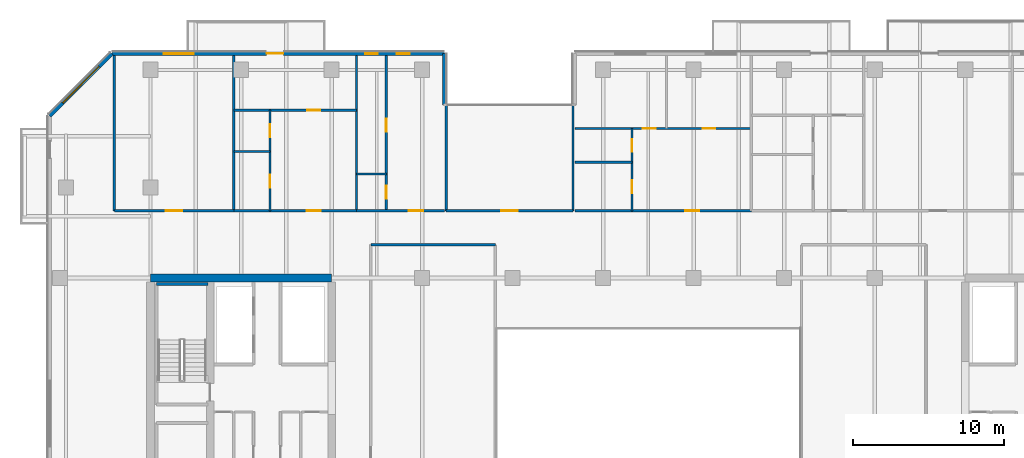
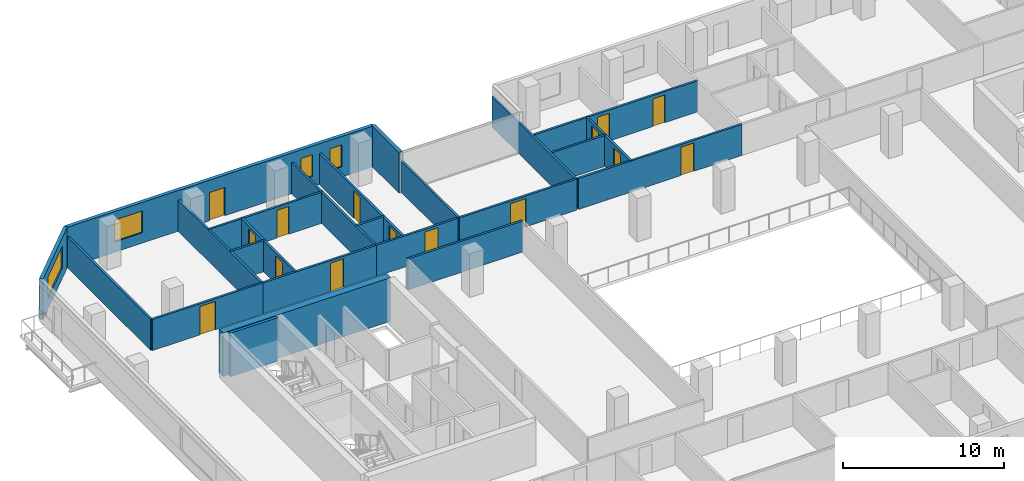
# One storey, part 13 of 23: 24 walls, 15 doors, 4 windows, 19 openings.
"""IFC4 building model written with IfcOpenShell, lengths in metres."""

import ifcopenshell
import ifcopenshell.guid

model = None  # the IFC model being written
_history = None  # IfcOwnerHistory: only IFC2X3 demands one
_inside = {}  # id of a spatial element -> (the spatial element, [elements in it])
_under = {}  # id of a project, library or spatial element -> (it, [spatial elements below it])
_declared = {}  # id of a project -> (the project, [libraries it declares])
_typed = {}  # id of a type object -> (the type object, [elements of that type])
_made_of = {}  # id of a material, layer set ... -> (it, [elements and type objects made of it])


def new_model(schema):
    """Start an empty IFC model of exactly this schema.

    Asked for "IFC4X3", IfcOpenShell would pick the latest addendum, in which some entities
    have other attributes; the version numbers below select the first issue.
    IFC2X3 requires an IfcOwnerHistory on every rooted entity: one is made here for all.
    """
    global model, _history
    if schema == "IFC4X3":
        model = ifcopenshell.file(schema_version=(4, 3, 0, 0))
    else:
        model = ifcopenshell.file(schema=schema)
    _inside.clear()
    _under.clear()
    _declared.clear()
    _typed.clear()
    _made_of.clear()
    _history = None
    if model.schema == "IFC2X3":
        org = make("IfcOrganization", Name="unknown")
        user = make(
            "IfcPersonAndOrganization",
            ThePerson=make("IfcPerson", FamilyName="unknown"),
            TheOrganization=org,
        )
        app = make(
            "IfcApplication",
            ApplicationDeveloper=org,
            Version="unknown",
            ApplicationFullName="unknown",
            ApplicationIdentifier="unknown",
        )
        _history = make(
            "IfcOwnerHistory",
            OwningUser=user,
            OwningApplication=app,
            ChangeAction="ADDED",
            CreationDate=0,
        )
    return model


def make(cls, **values):
    """One entity of the class cls with the attributes given. An attribute that is None is left unset."""
    return model.create_entity(
        cls, **{name: value for name, value in values.items() if value is not None}
    )


def rooted(cls, **values):
    """An entity with a GlobalId (a new one), such as an element, a storey or a relation."""
    return make(cls, GlobalId=ifcopenshell.guid.new(), OwnerHistory=_history, **values)


def si_unit(unit_type, name, prefix=None):
    """IfcSIUnit, for example si_unit("LENGTHUNIT", "METRE", prefix="MILLI")."""
    return make("IfcSIUnit", UnitType=unit_type, Prefix=prefix, Name=name)


def assignment(units):
    """IfcUnitAssignment: the units of a project."""
    return None if units is None else make("IfcUnitAssignment", Units=units)


def point(xyz):
    """IfcCartesianPoint."""
    return None if xyz is None else make("IfcCartesianPoint", Coordinates=xyz)


def direction(xyz):
    """IfcDirection."""
    return None if xyz is None else make("IfcDirection", DirectionRatios=xyz)


def frame(location, z_axis=None, x_axis=None):
    """IfcAxis2Placement3D, a coordinate frame: its origin and axes. An axis left out is left unset."""
    return make(
        "IfcAxis2Placement3D",
        Location=point(location),
        Axis=direction(z_axis),
        RefDirection=direction(x_axis),
    )


def frame_2d(location, x_axis=None):
    """IfcAxis2Placement2D, a coordinate frame in the plane: its origin and x axis."""
    return make(
        "IfcAxis2Placement2D", Location=point(location), RefDirection=direction(x_axis)
    )


def origin():
    """The frame at (0, 0, 0) with its axes left unset."""
    return frame((0.0, 0.0, 0.0))


def place(relative_to, where):
    """IfcLocalPlacement: puts the frame where relative to a parent placement (None: the world)."""
    return make(
        "IfcLocalPlacement", PlacementRelTo=relative_to, RelativePlacement=where
    )


def context(
    kind, dimensions, precision=None, world=None, true_north=None, identifier=None
):
    """IfcGeometricRepresentationContext, for example the 3D "Model" context."""
    return make(
        "IfcGeometricRepresentationContext",
        ContextIdentifier=identifier,
        ContextType=kind,
        CoordinateSpaceDimension=dimensions,
        Precision=precision,
        WorldCoordinateSystem=world,
        TrueNorth=true_north,
    )


def subcontext(parent, identifier, kind, view, scale=None):
    """IfcGeometricRepresentationSubContext, for example "Body" below "Model"."""
    return make(
        "IfcGeometricRepresentationSubContext",
        ContextIdentifier=identifier,
        ContextType=kind,
        ParentContext=parent,
        TargetScale=scale,
        TargetView=view,
    )


def project(units=None, contexts=None):
    """IfcProject with its units and contexts."""
    return rooted(
        "IfcProject",
        Name="project",
        RepresentationContexts=contexts,
        UnitsInContext=assignment(units),
    )


def spatial(cls, under=None, at=None, **own):
    """A site, building, storey or space (cls), placed at a placement, below another one or the project."""
    s = rooted(cls, ObjectPlacement=at, **own)
    if under is not None:
        _under.setdefault(under.id(), (under, []))[1].append(s)
    return s


def profile(cls, at=None, kind="AREA", **sizes):
    """A parametric profile (cls). Its sizes go by their IFC names, for example OverallWidth=200.0."""
    return make(cls, ProfileType=kind, Position=at, **sizes)


def rectangle(**sizes):
    """IfcRectangleProfileDef."""
    return profile("IfcRectangleProfileDef", **sizes)


def extrude(swept, where, along, depth):
    """IfcExtrudedAreaSolid: the profile swept, set in the frame where, extruded along a direction by depth."""
    return make(
        "IfcExtrudedAreaSolid",
        SweptArea=swept,
        Position=where,
        ExtrudedDirection=direction(along),
        Depth=depth,
    )


def shape(context_of_items, identifier, shape_type, items):
    """IfcShapeRepresentation: the items that make up one representation, for example the "Body"."""
    return make(
        "IfcShapeRepresentation",
        ContextOfItems=context_of_items,
        RepresentationIdentifier=identifier,
        RepresentationType=shape_type,
        Items=items,
    )


def material(Name=None, Category=None):
    """IfcMaterial."""
    return make("IfcMaterial", Name=Name, Category=Category)


def layer(
    of_material, thickness, ventilated=None, Name=None, Category=None, Priority=None
):
    """IfcMaterialLayer: one layer of a wall or slab, of a material (None: an air gap)."""
    return make(
        "IfcMaterialLayer",
        Material=of_material,
        LayerThickness=thickness,
        IsVentilated=ventilated,
        Name=Name,
        Category=Category,
        Priority=Priority,
    )


def layer_set(layers, Name=None):
    """IfcMaterialLayerSet."""
    return make("IfcMaterialLayerSet", MaterialLayers=layers, LayerSetName=Name)


def made_of(thing, what):
    """Note that an element or type object is made of a material, layer set ...; save() writes the relation."""
    if what is not None:
        _made_of.setdefault(what.id(), (what, []))[1].append(thing)
    return thing


def type_object(cls, material=None, **own):
    """A type object (cls), such as IfcWallType, which elements share."""
    return made_of(rooted(cls, **own), material)


def element(
    cls,
    number,
    at=None,
    inside=None,
    cuts=None,
    type_object=None,
    material=None,
    context=None,
    identifier="Body",
    shape_type=None,
    held_by="IfcProductDefinitionShape",
    body=None,
    shapes=None,
    **own,
):
    """One element of the class cls, such as IfcWall. Its Tag is "e" and its number.

    at: its placement. inside: the storey or other place that contains it. cuts: it is an
    opening in that element (IfcRelVoidsElement). A single representation is given by context,
    identifier, shape_type and body (its items); several are given by shapes. held_by: the class
    of the entity that holds the representations. save() writes the other relations.
    """
    e = rooted(cls, Tag="e%d" % number, ObjectPlacement=at, **own)
    if body is not None:
        shapes = [shape(context, identifier, shape_type, body)]
    if shapes is not None:
        e.Representation = make(held_by, Representations=shapes)
    if inside is not None:
        _inside.setdefault(inside.id(), (inside, []))[1].append(e)
    if cuts is not None:
        rooted(
            "IfcRelVoidsElement", RelatingBuildingElement=cuts, RelatedOpeningElement=e
        )
    if type_object is not None:
        _typed.setdefault(type_object.id(), (type_object, []))[1].append(e)
    return made_of(e, material)


def fill(opening, filler):
    """IfcRelFillsElement: the door or window that sits in an opening."""
    return rooted(
        "IfcRelFillsElement",
        RelatingOpeningElement=opening,
        RelatedBuildingElement=filler,
    )


def aggregate(whole, parts):
    """IfcRelAggregates: a whole, such as a stair, and the parts it consists of."""
    return rooted("IfcRelAggregates", RelatingObject=whole, RelatedObjects=parts)


def save(model, path):
    """Write the relations noted so far, then the file.

    IfcRelAggregates (storeys below a building ...), IfcRelContainedInSpatialStructure (elements
    in a storey), IfcRelDefinesByType, IfcRelAssociatesMaterial and IfcRelDeclares: one each for
    every whole, place, type object, material and project.
    """
    for whole, parts in _under.values():
        aggregate(whole, parts)
    for where, things in _inside.values():
        rooted(
            "IfcRelContainedInSpatialStructure",
            RelatedElements=things,
            RelatingStructure=where,
        )
    for kind, things in _typed.values():
        rooted("IfcRelDefinesByType", RelatedObjects=things, RelatingType=kind)
    for what, things in _made_of.values():
        rooted("IfcRelAssociatesMaterial", RelatedObjects=things, RelatingMaterial=what)
    for by, libraries in _declared.values():
        rooted("IfcRelDeclares", RelatingContext=by, RelatedDefinitions=libraries)
    model.write(path)


model = new_model("IFC4")

# Units and contexts
model_context = context("Model", 3, precision=1e-05, world=origin(), true_north=direction((0.0, 1.0)))
body_context = subcontext(model_context, "Body", "Model", "MODEL_VIEW")
ifc_project = project(units=[si_unit("LENGTHUNIT", "METRE"), si_unit("AREAUNIT", "SQUARE_METRE"), si_unit("VOLUMEUNIT", "CUBIC_METRE"), si_unit("PLANEANGLEUNIT", "RADIAN"), si_unit("MASSUNIT", "GRAM", prefix="KILO")], contexts=[model_context])

# Site, building, storey
site_placement = place(None, origin())
site = spatial("IfcSite", under=ifc_project, at=site_placement, CompositionType="ELEMENT")
building_placement = place(site_placement, origin())
building = spatial("IfcBuilding", under=site, at=building_placement, Name="Tanjung Sevakor Pilgrim Tower", CompositionType="ELEMENT")
storey_placement = place(building_placement, frame((0.0, 0.0, 85.469970703125)))
storey = spatial("IfcBuildingStorey", under=building, at=storey_placement, Name="L23", CompositionType="ELEMENT", Elevation=85.469970703125)

# Walls
ifc_material_1 = material(Name="Concrete C60/75", Category="concrete")
ifc_layer_1 = layer(ifc_material_1, 0.5)
ifc_layer_set_1 = layer_set([ifc_layer_1], Name="WALL-CW-500")
wall_type_1 = type_object("IfcWallType", Name="WALL-CW-500", PredefinedType="SHEAR", material=ifc_layer_set_1)
wall_1_placement = place(storey_placement, frame((36.0, 42.60009765625, 0.0), z_axis=(0.0, 0.0, 1.0), x_axis=(-1.0, 0.0, 0.0)))
element("IfcWall", 1, at=wall_1_placement, inside=storey, type_object=wall_type_1, Name="L23 W Core North Shear Wall", PredefinedType="SHEAR", context=body_context, shape_type="SweptSolid", body=[
    extrude(rectangle(XDim=12.0, YDim=0.5, at=frame_2d((6.0, 0.0))), origin(), (0.0, 0.0, 1.0), 3.300048828125),
])
ifc_material_2 = material(Name="Concrete C40/50", Category="concrete")
ifc_layer_2 = layer(ifc_material_2, 0.14990234375)
ifc_layer_set_2 = layer_set([ifc_layer_2], Name="WT-COMP-150")
wall_type_2 = type_object("IfcWallType", Name="WT-COMP-150", PredefinedType="SOLIDWALL", material=ifc_layer_set_2)
wall_2_placement = place(storey_placement, frame((38.60009765625, 44.800048828125, 0.0), z_axis=(0.0, 0.0, 1.0), x_axis=(1.0, 0.0, 0.0)))
element("IfcWall", 2, at=wall_2_placement, inside=storey, type_object=wall_type_2, Name="L23 Partition IW-L23-030", PredefinedType="SOLIDWALL", context=body_context, shape_type="SweptSolid", body=[
    extrude(rectangle(XDim=8.25, YDim=0.14990234375, at=frame_2d((4.125, 0.0))), origin(), (0.0, 0.0, 1.0), 2.35009765625),
])

# Wall, opening, door
wall_3_placement = place(storey_placement, frame((43.60009765625, 47.050048828125, 0.0), z_axis=(0.0, 0.0, 1.0), x_axis=(1.0, 0.0, 0.0)))
wall_3 = element("IfcWall", 3, at=wall_3_placement, inside=storey, type_object=wall_type_2, Name="L23 Partition IW-L23-048", PredefinedType="SOLIDWALL", context=body_context, shape_type="SweptSolid", body=[
    extrude(rectangle(XDim=8.39990234375, YDim=0.14990234375, at=frame_2d((4.199951171875, 0.0))), origin(), (0.0, 0.0, 1.0), 2.35009765625),
])
opening_1_placement = place(wall_3_placement, frame((3.64990234375, 0.0, 0.0)))
opening_1 = element("IfcOpeningElement", 4, at=opening_1_placement, cuts=wall_3, Name="Opening ID-RM2", PredefinedType="OPENING", context=body_context, shape_type="SweptSolid", body=[
    extrude(rectangle(XDim=1.10009765625, YDim=2.14990234375, at=frame_2d((0.550048828125, 1.074951171875))), frame((0.0, 0.0849609375, 0.0), z_axis=(0.0, -1.0, 0.0), x_axis=(1.0, 0.0, 0.0)), (0.0, 0.0, 1.0), 0.169921875),
])
ifc_material_3 = material(Name="Hardwood Timber", Category="wood")
door_type_1 = type_object("IfcDoorType", Name="DT-INT-1100", OperationType="NOTDEFINED", PredefinedType="DOOR", material=ifc_material_3)
door_1_placement = place(opening_1_placement, origin())
door_1 = element("IfcDoor", 5, at=door_1_placement, inside=storey, type_object=door_type_1, Name="L23 North Cleft Seminar Room Door", OperationType="SINGLE_SWING_RIGHT", OverallHeight=2.14990234375, OverallWidth=1.10009765625, PredefinedType="DOOR", context=body_context, shape_type="SweptSolid", body=[
    extrude(rectangle(XDim=1.10009765625, YDim=2.14990234375, at=frame_2d((0.550048828125, 1.074951171875))), frame((0.0, 0.02490234375, 0.0), z_axis=(0.0, -1.0, 0.0), x_axis=(1.0, 0.0, 0.0)), (0.0, 0.0, 1.0), 0.050048828125),
])
fill(opening_1, door_1)

# Walls
for number, where, z_axis, x_axis, name in (
    (6, (43.60009765625, 47.050048828125, 0.0), (0.0, 0.0, 1.0), (0.0, 1.0, 0.0), "L23 Partition IW-L23-049"),
    (7, (52.0, 47.050048828125, 0.0), (0.0, 0.0, 1.0), (0.0, 1.0, 0.0), "L23 Partition IW-L23-050"),
    (8, (21.60009765625, 47.050048828125, 0.0), (0.0, 0.0, 1.0), (0.0, 1.0, 0.0), "L23 Partition IW-L23-083"),
    (9, (29.5185546875, 47.050048828125, 0.0), (0.0, 0.0, 1.0), (0.0, 1.0, 0.0), "L23 Partition IW-L23-084"),
):
    element("IfcWall", number, at=place(storey_placement, frame(where, z_axis=z_axis, x_axis=x_axis)), inside=storey, type_object=wall_type_2, Name=name, PredefinedType="SOLIDWALL", context=body_context, shape_type="SweptSolid", body=[
        extrude(rectangle(XDim=10.300048828125, YDim=0.14990234375, at=frame_2d((5.14990234375, 0.0))), origin(), (0.0, 0.0, 1.0), 2.35009765625),
    ])

# Wall, opening, door
wall_4_placement = place(storey_placement, frame((21.60009765625, 47.050048828125, 0.0), z_axis=(0.0, 0.0, 1.0), x_axis=(1.0, 0.0, 0.0)))
wall_4 = element("IfcWall", 10, at=wall_4_placement, inside=storey, type_object=wall_type_2, Name="L23 Partition IW-L23-085", PredefinedType="SOLIDWALL", context=body_context, shape_type="SweptSolid", body=[
    extrude(rectangle(XDim=7.91845703125, YDim=0.14990234375, at=frame_2d((3.959228515625, 0.0))), origin(), (0.0, 0.0, 1.0), 2.35009765625),
])
opening_2_placement = place(wall_4_placement, frame((3.4091796875, 0.0, 0.0)))
opening_2 = element("IfcOpeningElement", 11, at=opening_2_placement, cuts=wall_4, Name="Opening ID-FD0", PredefinedType="OPENING", context=body_context, shape_type="SweptSolid", body=[
    extrude(rectangle(XDim=1.10009765625, YDim=2.14990234375, at=frame_2d((0.550048828125, 1.074951171875))), frame((0.0, 0.0849609375, 0.0), z_axis=(0.0, -1.0, 0.0), x_axis=(1.0, 0.0, 0.0)), (0.0, 0.0, 1.0), 0.169921875),
])
ifc_material_4 = material(Name="Fire-Rated Steel S355J2", Category="steel")
door_type_2 = type_object("IfcDoorType", Name="DT-FIRE-1100", OperationType="NOTDEFINED", PredefinedType="DOOR", material=ifc_material_4)
door_2_placement = place(opening_2_placement, origin())
door_2 = element("IfcDoor", 12, at=door_2_placement, inside=storey, type_object=door_type_2, Name="Communal Lounge Door", OperationType="SINGLE_SWING_RIGHT", OverallHeight=2.14990234375, OverallWidth=1.10009765625, PredefinedType="DOOR", context=body_context, shape_type="SweptSolid", body=[
    extrude(rectangle(XDim=1.10009765625, YDim=2.14990234375, at=frame_2d((0.550048828125, 1.074951171875))), frame((0.0, 0.02490234375, 0.0), z_axis=(0.0, -1.0, 0.0), x_axis=(1.0, 0.0, 0.0)), (0.0, 0.0, 1.0), 0.050048828125),
])
fill(opening_2, door_2)

# Wall
wall_5_placement = place(storey_placement, frame((37.6455078125, 47.050048828125, 0.0), z_axis=(0.0, 0.0, 1.0), x_axis=(0.0, 1.0, 0.0)))
element("IfcWall", 13, at=wall_5_placement, inside=storey, type_object=wall_type_2, Name="L23 Partition IW-L23-086", PredefinedType="SOLIDWALL", context=body_context, shape_type="SweptSolid", body=[
    extrude(rectangle(XDim=10.300048828125, YDim=0.14990234375, at=frame_2d((5.14990234375, 0.0))), origin(), (0.0, 0.0, 1.0), 2.35009765625),
])

# Wall, opening, door
wall_6_placement = place(storey_placement, frame((29.5185546875, 47.050048828125, 0.0), z_axis=(0.0, 0.0, 1.0), x_axis=(1.0, 0.0, 0.0)))
wall_6 = element("IfcWall", 14, at=wall_6_placement, inside=storey, type_object=wall_type_2, Name="L23 Partition IW-L23-090", PredefinedType="SOLIDWALL", context=body_context, shape_type="SweptSolid", body=[
    extrude(rectangle(XDim=8.126953125, YDim=0.14990234375, at=frame_2d((4.0634765625, 0.0))), origin(), (0.0, 0.0, 1.0), 2.35009765625),
])
opening_3_placement = place(wall_6_placement, frame((4.8291015625, 0.0, 0.0)))
opening_3 = element("IfcOpeningElement", 15, at=opening_3_placement, cuts=wall_6, Name="Opening ID-FD2", PredefinedType="OPENING", context=body_context, shape_type="SweptSolid", body=[
    extrude(rectangle(XDim=0.949951171875, YDim=2.14990234375, at=frame_2d((0.47509765625, 1.074951171875))), frame((0.0, 0.0849609375, 0.0), z_axis=(0.0, -1.0, 0.0), x_axis=(1.0, 0.0, 0.0)), (0.0, 0.0, 1.0), 0.169921875),
])
ifc_material_5 = material(Name="Fire-Rated Timber", Category="wood")
door_type_3 = type_object("IfcDoorType", Name="DT-FIRE-950", OperationType="NOTDEFINED", PredefinedType="DOOR", material=ifc_material_5)
door_3_placement = place(opening_3_placement, origin())
door_3 = element("IfcDoor", 16, at=door_3_placement, inside=storey, type_object=door_type_3, Name="Residence Entrance", OperationType="SINGLE_SWING_RIGHT", OverallHeight=2.14990234375, OverallWidth=0.949951171875, PredefinedType="DOOR", context=body_context, shape_type="SweptSolid", body=[
    extrude(rectangle(XDim=0.949951171875, YDim=2.14990234375, at=frame_2d((0.47509765625, 1.074951171875))), frame((0.0, 0.02490234375, 0.0), z_axis=(0.0, -1.0, 0.0), x_axis=(1.0, 0.0, 0.0)), (0.0, 0.0, 1.0), 0.050048828125),
])
fill(opening_3, door_3)

wall_7_placement = place(storey_placement, frame((37.6455078125, 47.050048828125, 0.0), z_axis=(0.0, 0.0, 1.0), x_axis=(1.0, 0.0, 0.0)))
wall_7 = element("IfcWall", 17, at=wall_7_placement, inside=storey, type_object=wall_type_2, Name="L23 Partition IW-L23-093", PredefinedType="SOLIDWALL", context=body_context, shape_type="SweptSolid", body=[
    extrude(rectangle(XDim=5.83447265625, YDim=0.14990234375, at=frame_2d((2.917236328125, 0.0))), origin(), (0.0, 0.0, 1.0), 2.35009765625),
])
opening_4_placement = place(wall_7_placement, frame((3.47412109375, 0.0, 0.0)))
opening_4 = element("IfcOpeningElement", 18, at=opening_4_placement, cuts=wall_7, Name="Opening ID-FD2", PredefinedType="OPENING", context=body_context, shape_type="SweptSolid", body=[
    extrude(rectangle(XDim=0.949951171875, YDim=2.14990234375, at=frame_2d((0.47509765625, 1.074951171875))), frame((0.0, 0.0849609375, 0.0), z_axis=(0.0, -1.0, 0.0), x_axis=(1.0, 0.0, 0.0)), (0.0, 0.0, 1.0), 0.169921875),
])
door_4_placement = place(opening_4_placement, origin())
door_4 = element("IfcDoor", 19, at=door_4_placement, inside=storey, type_object=door_type_3, Name="Hostel Quad Entrance", OperationType="SINGLE_SWING_LEFT", OverallHeight=2.14990234375, OverallWidth=0.949951171875, PredefinedType="DOOR", context=body_context, shape_type="SweptSolid", body=[
    extrude(rectangle(XDim=0.949951171875, YDim=2.14990234375, at=frame_2d((0.47509765625, 1.074951171875))), frame((0.0, 0.02490234375, 0.0), z_axis=(0.0, -1.0, 0.0), x_axis=(1.0, 0.0, 0.0)), (0.0, 0.0, 1.0), 0.050048828125),
])
fill(opening_4, door_4)

wall_8_placement = place(storey_placement, frame((52.1201171875, 47.050048828125, 0.0), z_axis=(0.0, 0.0, 1.0), x_axis=(1.0, 0.0, 0.0)))
wall_8 = element("IfcWall", 20, at=wall_8_placement, inside=storey, type_object=wall_type_2, Name="L23 Partition IW-L23-100", PredefinedType="SOLIDWALL", context=body_context, shape_type="SweptSolid", body=[
    extrude(rectangle(XDim=11.701171875, YDim=0.14990234375, at=frame_2d((5.8505859375, 0.0))), origin(), (0.0, 0.0, 1.0), 2.35009765625),
])
opening_5_placement = place(wall_8_placement, frame((7.315673828125, 0.0, 0.0)))
opening_5 = element("IfcOpeningElement", 21, at=opening_5_placement, cuts=wall_8, Name="Opening ID-FD2", PredefinedType="OPENING", context=body_context, shape_type="SweptSolid", body=[
    extrude(rectangle(XDim=0.949951171875, YDim=2.14990234375, at=frame_2d((0.47509765625, 1.074951171875))), frame((0.0, 0.0849609375, 0.0), z_axis=(0.0, -1.0, 0.0), x_axis=(1.0, 0.0, 0.0)), (0.0, 0.0, 1.0), 0.169921875),
])
door_5_placement = place(opening_5_placement, origin())
door_5 = element("IfcDoor", 22, at=door_5_placement, inside=storey, type_object=door_type_3, Name="Suite Entrance", OperationType="SINGLE_SWING_RIGHT", OverallHeight=2.14990234375, OverallWidth=0.949951171875, PredefinedType="DOOR", context=body_context, shape_type="SweptSolid", body=[
    extrude(rectangle(XDim=0.949951171875, YDim=2.14990234375, at=frame_2d((0.47509765625, 1.074951171875))), frame((0.0, 0.02490234375, 0.0), z_axis=(0.0, -1.0, 0.0), x_axis=(1.0, 0.0, 0.0)), (0.0, 0.0, 1.0), 0.050048828125),
])
fill(opening_5, door_5)

# Wall
ifc_material_6 = material(Name="Precast concrete C45/55", Category="concrete")
ifc_layer_3 = layer(ifc_material_6, 0.25)
ifc_layer_set_3 = layer_set([ifc_layer_3], Name="WT-EW-STN3")
wall_type_3 = type_object("IfcWallType", Name="WT-EW-STN3", PredefinedType="SOLIDWALL", material=ifc_layer_set_3)
wall_9_placement = place(storey_placement, frame((43.47509765625, 54.074951171875, 0.0), z_axis=(0.0, 0.0, 1.0), x_axis=(0.0, 1.0, 0.0)))
element("IfcWall", 23, at=wall_9_placement, inside=storey, type_object=wall_type_3, Name="L23 MAIN Exterior Wall 12", PredefinedType="SOLIDWALL", context=body_context, shape_type="SweptSolid", body=[
    extrude(rectangle(XDim=3.400146484375, YDim=0.25, at=frame_2d((1.7001953125, 0.0))), origin(), (0.0, 0.0, 1.0), 3.080078125),
])

# Wall, openings, door, windows
wall_10_placement = place(storey_placement, frame((43.47509765625, 57.47509765625, 0.0), z_axis=(0.0, 0.0, 1.0), x_axis=(-1.0, 0.0, 0.0)))
wall_10 = element("IfcWall", 24, at=wall_10_placement, inside=storey, type_object=wall_type_3, Name="L23 MAIN Exterior Wall 13", PredefinedType="SOLIDWALL", context=body_context, shape_type="SweptSolid", body=[
    extrude(rectangle(XDim=22.023193359375, YDim=0.25, at=frame_2d((11.01171875, 0.0))), origin(), (0.0, 0.0, 1.0), 3.080078125),
])
opening_6_placement = place(wall_10_placement, frame((10.675048828125, 0.0, 0.0)))
opening_6 = element("IfcOpeningElement", 25, at=opening_6_placement, cuts=wall_10, Name="Opening ED-BAL-1100", PredefinedType="OPENING", context=body_context, shape_type="SweptSolid", body=[
    extrude(rectangle(XDim=1.10009765625, YDim=2.14990234375, at=frame_2d((0.550048828125, 1.074951171875))), frame((0.0, 0.135009765625, 0.0), z_axis=(0.0, -1.0, 0.0), x_axis=(1.0, 0.0, 0.0)), (0.0, 0.0, 1.0), 0.27001953125),
])
opening_7_placement = place(wall_10_placement, frame((16.595703125, 0.0, 0.780029296875)))
opening_7 = element("IfcOpeningElement", 26, at=opening_7_placement, cuts=wall_10, Name="Opening WN-Z2-1660", PredefinedType="OPENING", context=body_context, shape_type="SweptSolid", body=[
    extrude(rectangle(XDim=2.0, YDim=1.659912109375, at=frame_2d((1.0, 0.830078125))), frame((0.0, 0.135009765625, 0.0), z_axis=(0.0, -1.0, 0.0), x_axis=(1.0, 0.0, 0.0)), (0.0, 0.0, 1.0), 0.27001953125),
])
opening_8_placement = place(wall_10_placement, frame((4.402587890625, 0.0, 0.780029296875)))
opening_8 = element("IfcOpeningElement", 27, at=opening_8_placement, cuts=wall_10, Name="Opening WN-SLM", PredefinedType="OPENING", context=body_context, shape_type="SweptSolid", body=[
    extrude(rectangle(XDim=0.85009765625, YDim=1.64990234375, at=frame_2d((0.425048828125, 0.824951171875))), frame((0.0, 0.135009765625, 0.0), z_axis=(0.0, -1.0, 0.0), x_axis=(1.0, 0.0, 0.0)), (0.0, 0.0, 1.0), 0.27001953125),
])
opening_9_placement = place(wall_10_placement, frame((2.305419921875, 0.0, 0.780029296875)))
opening_9 = element("IfcOpeningElement", 28, at=opening_9_placement, cuts=wall_10, Name="Opening WN-SLM", PredefinedType="OPENING", context=body_context, shape_type="SweptSolid", body=[
    extrude(rectangle(XDim=0.85009765625, YDim=1.64990234375, at=frame_2d((0.425048828125, 0.824951171875))), frame((0.0, 0.135009765625, 0.0), z_axis=(0.0, -1.0, 0.0), x_axis=(1.0, 0.0, 0.0)), (0.0, 0.0, 1.0), 0.27001953125),
])
ifc_material_7 = material(Name="Anodised Aluminium and Laminated Glass", Category="aluminium")
door_type_4 = type_object("IfcDoorType", Name="DTYP-ED-BAL-1100", OperationType="NOTDEFINED", PredefinedType="DOOR", material=ifc_material_7)
door_6_placement = place(opening_6_placement, frame((1.10009765625, 0.0, 0.0), z_axis=(0.0, 0.0, 1.0), x_axis=(-1.0, 0.0, 0.0)))
door_6 = element("IfcDoor", 29, at=door_6_placement, inside=storey, type_object=door_type_4, Name="L23 Balcony Door MAIN-N1", OperationType="SINGLE_SWING_RIGHT", OverallHeight=2.14990234375, OverallWidth=1.10009765625, PredefinedType="DOOR", context=body_context, shape_type="SweptSolid", body=[
    extrude(rectangle(XDim=1.10009765625, YDim=2.14990234375, at=frame_2d((0.550048828125, 1.074951171875))), frame((0.0, 0.02490234375, 0.0), z_axis=(0.0, -1.0, 0.0), x_axis=(1.0, 0.0, 0.0)), (0.0, 0.0, 1.0), 0.050048828125),
])
fill(opening_6, door_6)
ifc_material_8 = material(Name="Thermally Broken Aluminium and Low-E Glass", Category="aluminium")
window_type_1 = type_object("IfcWindowType", Name="WTYP-WN-SLM", PartitioningType="SINGLE_PANEL", PredefinedType="WINDOW", material=ifc_material_8)
window_1_placement = place(opening_8_placement, origin())
window_1 = element("IfcWindow", 30, at=window_1_placement, inside=storey, type_object=window_type_1, Name="L23 Facade Window 02", OverallHeight=1.64990234375, OverallWidth=0.85009765625, PartitioningType="SINGLE_PANEL", PredefinedType="WINDOW", context=body_context, shape_type="SweptSolid", body=[
    extrude(rectangle(XDim=0.85009765625, YDim=1.64990234375, at=frame_2d((0.425048828125, 0.824951171875))), frame((0.0, 0.030029296875, 0.0), z_axis=(0.0, -1.0, 0.0), x_axis=(1.0, 0.0, 0.0)), (0.0, 0.0, 1.0), 0.06005859375),
])
fill(opening_8, window_1)
window_2_placement = place(opening_9_placement, origin())
window_2 = element("IfcWindow", 31, at=window_2_placement, inside=storey, type_object=window_type_1, Name="L23 Facade Window 03", OverallHeight=1.64990234375, OverallWidth=0.85009765625, PartitioningType="SINGLE_PANEL", PredefinedType="WINDOW", context=body_context, shape_type="SweptSolid", body=[
    extrude(rectangle(XDim=0.85009765625, YDim=1.64990234375, at=frame_2d((0.425048828125, 0.824951171875))), frame((0.0, 0.030029296875, 0.0), z_axis=(0.0, -1.0, 0.0), x_axis=(1.0, 0.0, 0.0)), (0.0, 0.0, 1.0), 0.06005859375),
])
fill(opening_9, window_2)
ifc_material_9 = material(Name="Thermally Broken Aluminium and Low-E Glass", Category="aluminium")
window_type_2 = type_object("IfcWindowType", Name="WTYP-WN-Z2-1660", PartitioningType="DOUBLE_PANEL_VERTICAL", PredefinedType="WINDOW", material=ifc_material_9)
window_3_placement = place(opening_7_placement, origin())
window_3 = element("IfcWindow", 32, at=window_3_placement, inside=storey, type_object=window_type_2, Name="L23 Facade Window 01", OverallHeight=1.659912109375, OverallWidth=2.0, PartitioningType="SINGLE_PANEL", PredefinedType="WINDOW", context=body_context, shape_type="SweptSolid", body=[
    extrude(rectangle(XDim=2.0, YDim=1.659912109375, at=frame_2d((1.0, 0.830078125))), frame((0.0, 0.030029296875, 0.0), z_axis=(0.0, -1.0, 0.0), x_axis=(1.0, 0.0, 0.0)), (0.0, 0.0, 1.0), 0.06005859375),
])
fill(opening_7, window_3)

# Wall, opening, window
wall_11_placement = place(storey_placement, frame((21.451904296875, 57.47509765625, 0.0), z_axis=(0.0, 0.0, 1.0), x_axis=(-0.707106781187, -0.707106781187, 0.0)))
wall_11 = element("IfcWall", 33, at=wall_11_placement, inside=storey, type_object=wall_type_3, Name="L23 MAIN Sculpted Corner Wall 13", PredefinedType="SOLIDWALL", context=body_context, shape_type="SweptSolid", body=[
    extrude(rectangle(XDim=5.83642578125, YDim=0.25, at=frame_2d((2.918212890625, 0.0))), origin(), (0.0, 0.0, 1.0), 3.080078125),
])
opening_10_placement = place(wall_11_placement, frame((1.218017578125, 0.0, 0.780029296875)))
opening_10 = element("IfcOpeningElement", 34, at=opening_10_placement, cuts=wall_11, Name="Opening WN-CHM-1660", PredefinedType="OPENING", context=body_context, shape_type="SweptSolid", body=[
    extrude(rectangle(XDim=3.39990234375, YDim=1.659912109375, at=frame_2d((1.699951171875, 0.830078125))), frame((0.0, 0.135009765625, 0.0), z_axis=(0.0, -1.0, 0.0), x_axis=(1.0, 0.0, 0.0)), (0.0, 0.0, 1.0), 0.27001953125),
])
ifc_material_10 = material(Name="Thermally Broken Aluminium and Low-E Glass", Category="aluminium")
window_type_3 = type_object("IfcWindowType", Name="WTYP-WN-CHM-1660", PartitioningType="DOUBLE_PANEL_VERTICAL", PredefinedType="WINDOW", material=ifc_material_10)
window_4_placement = place(opening_10_placement, origin())
window_4 = element("IfcWindow", 35, at=window_4_placement, inside=storey, type_object=window_type_3, Name="L23 Facade Window 01", OverallHeight=1.659912109375, OverallWidth=3.39990234375, PartitioningType="SINGLE_PANEL", PredefinedType="WINDOW", context=body_context, shape_type="SweptSolid", body=[
    extrude(rectangle(XDim=3.39990234375, YDim=1.659912109375, at=frame_2d((1.699951171875, 0.830078125))), frame((0.0, 0.030029296875, 0.0), z_axis=(0.0, -1.0, 0.0), x_axis=(1.0, 0.0, 0.0)), (0.0, 0.0, 1.0), 0.06005859375),
])
fill(opening_10, window_4)

# Walls
ifc_material_11 = material(Name="Concrete C40/50", Category="concrete")
ifc_layer_4 = layer(ifc_material_11, 0.199951171875)
ifc_layer_set_4 = layer_set([ifc_layer_4], Name="WT-FIRE-200")
wall_type_4 = type_object("IfcWallType", Name="WT-FIRE-200", PredefinedType="SOLIDWALL", material=ifc_layer_set_4)
wall_12_placement = place(storey_placement, frame((27.800048828125, 42.199951171875, 0.0), z_axis=(0.0, 0.0, 1.0), x_axis=(-1.0, 0.0, 0.0)))
element("IfcWall", 36, at=wall_12_placement, inside=storey, type_object=wall_type_4, Name="L23 TS-W2 Shaft Wall 2", PredefinedType="SOLIDWALL", context=body_context, shape_type="SweptSolid", body=[
    extrude(rectangle(XDim=3.400146484375, YDim=0.199951171875, at=frame_2d((1.7001953125, 0.0))), origin(), (0.0, 0.0, 1.0), 3.300048828125),
])
ifc_material_12 = material(Name="Gypsum Board Partition", Category="gypsum board")
ifc_layer_5 = layer(ifc_material_12, 0.14990234375)
ifc_layer_set_5 = layer_set([ifc_layer_5], Name="WT-PART-150")
wall_type_5 = type_object("IfcWallType", Name="WT-PART-150", PredefinedType="PARTITIONING", material=ifc_layer_set_5)
wall_13_placement = place(storey_placement, frame((29.5185546875, 50.9853515625, 0.0), z_axis=(0.0, 0.0, 1.0), x_axis=(1.0, 0.0, 0.0)))
element("IfcWall", 37, at=wall_13_placement, inside=storey, type_object=wall_type_5, Name="L23 Partition IW-L23-087", PredefinedType="PARTITIONING", context=body_context, shape_type="SweptSolid", body=[
    extrude(rectangle(XDim=2.4013671875, YDim=0.14990234375, at=frame_2d((1.20068359375, 0.0))), origin(), (0.0, 0.0, 1.0), 2.35009765625),
])

# Wall, openings, doors
wall_14_placement = place(storey_placement, frame((31.919921875, 47.050048828125, 0.0), z_axis=(0.0, 0.0, 1.0), x_axis=(0.0, 1.0, 0.0)))
wall_14 = element("IfcWall", 38, at=wall_14_placement, inside=storey, type_object=wall_type_5, Name="L23 Partition IW-L23-088", PredefinedType="PARTITIONING", context=body_context, shape_type="SweptSolid", body=[
    extrude(rectangle(XDim=6.670166015625, YDim=0.14990234375, at=frame_2d((3.3349609375, 0.0))), origin(), (0.0, 0.0, 1.0), 2.35009765625),
])
opening_11_placement = place(wall_14_placement, frame((1.542724609375, 0.0, 0.0)))
opening_11 = element("IfcOpeningElement", 39, at=opening_11_placement, cuts=wall_14, Name="Opening ID-WC1", PredefinedType="OPENING", context=body_context, shape_type="SweptSolid", body=[
    extrude(rectangle(XDim=0.85009765625, YDim=2.10009765625, at=frame_2d((0.425048828125, 1.050048828125))), frame((0.0, 0.0849609375, 0.0), z_axis=(0.0, -1.0, 0.0), x_axis=(1.0, 0.0, 0.0)), (0.0, 0.0, 1.0), 0.169921875),
])
opening_12_placement = place(wall_14_placement, frame((4.877685546875, 0.0, 0.0)))
opening_12 = element("IfcOpeningElement", 40, at=opening_12_placement, cuts=wall_14, Name="Opening ID-WC1", PredefinedType="OPENING", context=body_context, shape_type="SweptSolid", body=[
    extrude(rectangle(XDim=0.85009765625, YDim=2.10009765625, at=frame_2d((0.425048828125, 1.050048828125))), frame((0.0, 0.0849609375, 0.0), z_axis=(0.0, -1.0, 0.0), x_axis=(1.0, 0.0, 0.0)), (0.0, 0.0, 1.0), 0.169921875),
])
ifc_material_13 = material(Name="Moisture-Resistant Timber", Category="wood")
door_type_5 = type_object("IfcDoorType", Name="DT-INT-850", OperationType="NOTDEFINED", PredefinedType="DOOR", material=ifc_material_13)
door_7_placement = place(opening_11_placement, origin())
door_7 = element("IfcDoor", 41, at=door_7_placement, inside=storey, type_object=door_type_5, Name="Residence Kitchenette Door", OperationType="SINGLE_SWING_LEFT", OverallHeight=2.10009765625, OverallWidth=0.85009765625, PredefinedType="DOOR", context=body_context, shape_type="SweptSolid", body=[
    extrude(rectangle(XDim=0.85009765625, YDim=2.10009765625, at=frame_2d((0.425048828125, 1.050048828125))), frame((0.0, 0.02490234375, 0.0), z_axis=(0.0, -1.0, 0.0), x_axis=(1.0, 0.0, 0.0)), (0.0, 0.0, 1.0), 0.050048828125),
])
fill(opening_11, door_7)
door_8_placement = place(opening_12_placement, origin())
door_8 = element("IfcDoor", 42, at=door_8_placement, inside=storey, type_object=door_type_5, Name="Residence Bathroom Door", OperationType="SINGLE_SWING_RIGHT", OverallHeight=2.10009765625, OverallWidth=0.85009765625, PredefinedType="DOOR", context=body_context, shape_type="SweptSolid", body=[
    extrude(rectangle(XDim=0.85009765625, YDim=2.10009765625, at=frame_2d((0.425048828125, 1.050048828125))), frame((0.0, 0.02490234375, 0.0), z_axis=(0.0, -1.0, 0.0), x_axis=(1.0, 0.0, 0.0)), (0.0, 0.0, 1.0), 0.050048828125),
])
fill(opening_12, door_8)

# Wall, opening, door
wall_15_placement = place(storey_placement, frame((29.5185546875, 53.72021484375, 0.0), z_axis=(0.0, 0.0, 1.0), x_axis=(1.0, 0.0, 0.0)))
wall_15 = element("IfcWall", 43, at=wall_15_placement, inside=storey, type_object=wall_type_5, Name="L23 Partition IW-L23-089", PredefinedType="PARTITIONING", context=body_context, shape_type="SweptSolid", body=[
    extrude(rectangle(XDim=8.126953125, YDim=0.14990234375, at=frame_2d((4.0634765625, 0.0))), origin(), (0.0, 0.0, 1.0), 2.35009765625),
])
opening_13_placement = place(wall_15_placement, frame((4.879150390625, 0.0, 0.0)))
opening_13 = element("IfcOpeningElement", 44, at=opening_13_placement, cuts=wall_15, Name="Opening ID-WC1", PredefinedType="OPENING", context=body_context, shape_type="SweptSolid", body=[
    extrude(rectangle(XDim=0.85009765625, YDim=2.10009765625, at=frame_2d((0.425048828125, 1.050048828125))), frame((0.0, 0.0849609375, 0.0), z_axis=(0.0, -1.0, 0.0), x_axis=(1.0, 0.0, 0.0)), (0.0, 0.0, 1.0), 0.169921875),
])
door_9_placement = place(opening_13_placement, origin())
door_9 = element("IfcDoor", 45, at=door_9_placement, inside=storey, type_object=door_type_5, Name="Residence Bedroom Door", OperationType="SINGLE_SWING_LEFT", OverallHeight=2.10009765625, OverallWidth=0.85009765625, PredefinedType="DOOR", context=body_context, shape_type="SweptSolid", body=[
    extrude(rectangle(XDim=0.85009765625, YDim=2.10009765625, at=frame_2d((0.425048828125, 1.050048828125))), frame((0.0, 0.02490234375, 0.0), z_axis=(0.0, -1.0, 0.0), x_axis=(1.0, 0.0, 0.0)), (0.0, 0.0, 1.0), 0.050048828125),
])
fill(opening_13, door_9)

# Wall
wall_16_placement = place(storey_placement, frame((37.6455078125, 49.5, 0.0), z_axis=(0.0, 0.0, 1.0), x_axis=(1.0, 0.0, 0.0)))
element("IfcWall", 46, at=wall_16_placement, inside=storey, type_object=wall_type_5, Name="L23 Partition IW-L23-091", PredefinedType="PARTITIONING", context=body_context, shape_type="SweptSolid", body=[
    extrude(rectangle(XDim=1.983642578125, YDim=0.14990234375, at=frame_2d((0.99169921875, 0.0))), origin(), (0.0, 0.0, 1.0), 2.35009765625),
])

# Wall, openings, doors
wall_17_placement = place(storey_placement, frame((39.629150390625, 47.050048828125, 0.0), z_axis=(0.0, 0.0, 1.0), x_axis=(0.0, 1.0, 0.0)))
wall_17 = element("IfcWall", 47, at=wall_17_placement, inside=storey, type_object=wall_type_5, Name="L23 Partition IW-L23-092", PredefinedType="PARTITIONING", context=body_context, shape_type="SweptSolid", body=[
    extrude(rectangle(XDim=10.300048828125, YDim=0.14990234375, at=frame_2d((5.14990234375, 0.0))), origin(), (0.0, 0.0, 1.0), 2.35009765625),
])
opening_14_placement = place(wall_17_placement, frame((0.800048828125, 0.0, 0.0)))
opening_14 = element("IfcOpeningElement", 48, at=opening_14_placement, cuts=wall_17, Name="Opening ID-WC1", PredefinedType="OPENING", context=body_context, shape_type="SweptSolid", body=[
    extrude(rectangle(XDim=0.85009765625, YDim=2.10009765625, at=frame_2d((0.425048828125, 1.050048828125))), frame((0.0, 0.0849609375, 0.0), z_axis=(0.0, -1.0, 0.0), x_axis=(1.0, 0.0, 0.0)), (0.0, 0.0, 1.0), 0.169921875),
])
opening_15_placement = place(wall_17_placement, frame((5.25, 0.0, 0.0)))
opening_15 = element("IfcOpeningElement", 49, at=opening_15_placement, cuts=wall_17, Name="Opening ID-WC1", PredefinedType="OPENING", context=body_context, shape_type="SweptSolid", body=[
    extrude(rectangle(XDim=0.85009765625, YDim=2.10009765625, at=frame_2d((0.425048828125, 1.050048828125))), frame((0.0, 0.0849609375, 0.0), z_axis=(0.0, -1.0, 0.0), x_axis=(1.0, 0.0, 0.0)), (0.0, 0.0, 1.0), 0.169921875),
])
door_10_placement = place(opening_14_placement, origin())
door_10 = element("IfcDoor", 50, at=door_10_placement, inside=storey, type_object=door_type_5, Name="Bathroom Door", OperationType="SINGLE_SWING_LEFT", OverallHeight=2.10009765625, OverallWidth=0.85009765625, PredefinedType="DOOR", context=body_context, shape_type="SweptSolid", body=[
    extrude(rectangle(XDim=0.85009765625, YDim=2.10009765625, at=frame_2d((0.425048828125, 1.050048828125))), frame((0.0, 0.02490234375, 0.0), z_axis=(0.0, -1.0, 0.0), x_axis=(1.0, 0.0, 0.0)), (0.0, 0.0, 1.0), 0.050048828125),
])
fill(opening_14, door_10)
door_11_placement = place(opening_15_placement, origin())
door_11 = element("IfcDoor", 51, at=door_11_placement, inside=storey, type_object=door_type_5, Name="Study Nook Door", OperationType="SINGLE_SWING_RIGHT", OverallHeight=2.10009765625, OverallWidth=0.85009765625, PredefinedType="DOOR", context=body_context, shape_type="SweptSolid", body=[
    extrude(rectangle(XDim=0.85009765625, YDim=2.10009765625, at=frame_2d((0.425048828125, 1.050048828125))), frame((0.0, 0.02490234375, 0.0), z_axis=(0.0, -1.0, 0.0), x_axis=(1.0, 0.0, 0.0)), (0.0, 0.0, 1.0), 0.050048828125),
])
fill(opening_15, door_11)

# Wall
wall_18_placement = place(storey_placement, frame((52.1201171875, 50.2666015625, 0.0), z_axis=(0.0, 0.0, 1.0), x_axis=(1.0, 0.0, 0.0)))
element("IfcWall", 52, at=wall_18_placement, inside=storey, type_object=wall_type_5, Name="L23 Partition IW-L23-096", PredefinedType="PARTITIONING", context=body_context, shape_type="SweptSolid", body=[
    extrude(rectangle(XDim=3.7998046875, YDim=0.14990234375, at=frame_2d((1.89990234375, 0.0))), origin(), (0.0, 0.0, 1.0), 2.35009765625),
])

# Wall, openings, doors
wall_19_placement = place(storey_placement, frame((55.919921875, 47.050048828125, 0.0), z_axis=(0.0, 0.0, 1.0), x_axis=(0.0, 1.0, 0.0)))
wall_19 = element("IfcWall", 53, at=wall_19_placement, inside=storey, type_object=wall_type_5, Name="L23 Partition IW-L23-097", PredefinedType="PARTITIONING", context=body_context, shape_type="SweptSolid", body=[
    extrude(rectangle(XDim=5.45166015625, YDim=0.14990234375, at=frame_2d((2.725830078125, 0.0))), origin(), (0.0, 0.0, 1.0), 2.35009765625),
])
opening_16_placement = place(wall_19_placement, frame((1.183349609375, 0.0, 0.0)))
opening_16 = element("IfcOpeningElement", 54, at=opening_16_placement, cuts=wall_19, Name="Opening ID-WC1", PredefinedType="OPENING", context=body_context, shape_type="SweptSolid", body=[
    extrude(rectangle(XDim=0.85009765625, YDim=2.10009765625, at=frame_2d((0.425048828125, 1.050048828125))), frame((0.0, 0.0849609375, 0.0), z_axis=(0.0, -1.0, 0.0), x_axis=(1.0, 0.0, 0.0)), (0.0, 0.0, 1.0), 0.169921875),
])
opening_17_placement = place(wall_19_placement, frame((3.9091796875, 0.0, 0.0)))
opening_17 = element("IfcOpeningElement", 55, at=opening_17_placement, cuts=wall_19, Name="Opening ID-WC1", PredefinedType="OPENING", context=body_context, shape_type="SweptSolid", body=[
    extrude(rectangle(XDim=0.85009765625, YDim=2.10009765625, at=frame_2d((0.425048828125, 1.050048828125))), frame((0.0, 0.0849609375, 0.0), z_axis=(0.0, -1.0, 0.0), x_axis=(1.0, 0.0, 0.0)), (0.0, 0.0, 1.0), 0.169921875),
])
door_12_placement = place(opening_16_placement, origin())
door_12 = element("IfcDoor", 56, at=door_12_placement, inside=storey, type_object=door_type_5, Name="Suite Kitchenette Door", OperationType="SINGLE_SWING_RIGHT", OverallHeight=2.10009765625, OverallWidth=0.85009765625, PredefinedType="DOOR", context=body_context, shape_type="SweptSolid", body=[
    extrude(rectangle(XDim=0.85009765625, YDim=2.10009765625, at=frame_2d((0.425048828125, 1.050048828125))), frame((0.0, 0.02490234375, 0.0), z_axis=(0.0, -1.0, 0.0), x_axis=(1.0, 0.0, 0.0)), (0.0, 0.0, 1.0), 0.050048828125),
])
fill(opening_16, door_12)
door_13_placement = place(opening_17_placement, origin())
door_13 = element("IfcDoor", 57, at=door_13_placement, inside=storey, type_object=door_type_5, Name="Suite Bathroom Door", OperationType="SINGLE_SWING_LEFT", OverallHeight=2.10009765625, OverallWidth=0.85009765625, PredefinedType="DOOR", context=body_context, shape_type="SweptSolid", body=[
    extrude(rectangle(XDim=0.85009765625, YDim=2.10009765625, at=frame_2d((0.425048828125, 1.050048828125))), frame((0.0, 0.02490234375, 0.0), z_axis=(0.0, -1.0, 0.0), x_axis=(1.0, 0.0, 0.0)), (0.0, 0.0, 1.0), 0.050048828125),
])
fill(opening_17, door_13)

wall_20_placement = place(storey_placement, frame((52.1201171875, 52.501708984375, 0.0), z_axis=(0.0, 0.0, 1.0), x_axis=(1.0, 0.0, 0.0)))
wall_20 = element("IfcWall", 58, at=wall_20_placement, inside=storey, type_object=wall_type_5, Name="L23 Partition IW-L23-099", PredefinedType="PARTITIONING", context=body_context, shape_type="SweptSolid", body=[
    extrude(rectangle(XDim=11.701171875, YDim=0.14990234375, at=frame_2d((5.8505859375, 0.0))), origin(), (0.0, 0.0, 1.0), 2.35009765625),
])
opening_18_placement = place(wall_20_placement, frame((4.517333984375, 0.0, 0.0)))
opening_18 = element("IfcOpeningElement", 59, at=opening_18_placement, cuts=wall_20, Name="Opening ID-WC1", PredefinedType="OPENING", context=body_context, shape_type="SweptSolid", body=[
    extrude(rectangle(XDim=0.85009765625, YDim=2.10009765625, at=frame_2d((0.425048828125, 1.050048828125))), frame((0.0, 0.0849609375, 0.0), z_axis=(0.0, -1.0, 0.0), x_axis=(1.0, 0.0, 0.0)), (0.0, 0.0, 1.0), 0.169921875),
])
opening_19_placement = place(wall_20_placement, frame((8.468017578125, 0.0, 0.0)))
opening_19 = element("IfcOpeningElement", 60, at=opening_19_placement, cuts=wall_20, Name="Opening ID-WC1", PredefinedType="OPENING", context=body_context, shape_type="SweptSolid", body=[
    extrude(rectangle(XDim=0.85009765625, YDim=2.10009765625, at=frame_2d((0.425048828125, 1.050048828125))), frame((0.0, 0.0849609375, 0.0), z_axis=(0.0, -1.0, 0.0), x_axis=(1.0, 0.0, 0.0)), (0.0, 0.0, 1.0), 0.169921875),
])
door_14_placement = place(opening_18_placement, origin())
door_14 = element("IfcDoor", 61, at=door_14_placement, inside=storey, type_object=door_type_5, Name="Suite Bedroom 1 Door", OperationType="SINGLE_SWING_RIGHT", OverallHeight=2.10009765625, OverallWidth=0.85009765625, PredefinedType="DOOR", context=body_context, shape_type="SweptSolid", body=[
    extrude(rectangle(XDim=0.85009765625, YDim=2.10009765625, at=frame_2d((0.425048828125, 1.050048828125))), frame((0.0, 0.02490234375, 0.0), z_axis=(0.0, -1.0, 0.0), x_axis=(1.0, 0.0, 0.0)), (0.0, 0.0, 1.0), 0.050048828125),
])
fill(opening_18, door_14)
door_15_placement = place(opening_19_placement, origin())
door_15 = element("IfcDoor", 62, at=door_15_placement, inside=storey, type_object=door_type_5, Name="Suite Bedroom 2 Door", OperationType="SINGLE_SWING_LEFT", OverallHeight=2.10009765625, OverallWidth=0.85009765625, PredefinedType="DOOR", context=body_context, shape_type="SweptSolid", body=[
    extrude(rectangle(XDim=0.85009765625, YDim=2.10009765625, at=frame_2d((0.425048828125, 1.050048828125))), frame((0.0, 0.02490234375, 0.0), z_axis=(0.0, -1.0, 0.0), x_axis=(1.0, 0.0, 0.0)), (0.0, 0.0, 1.0), 0.050048828125),
])
fill(opening_19, door_15)

save(model, "model.ifc")
